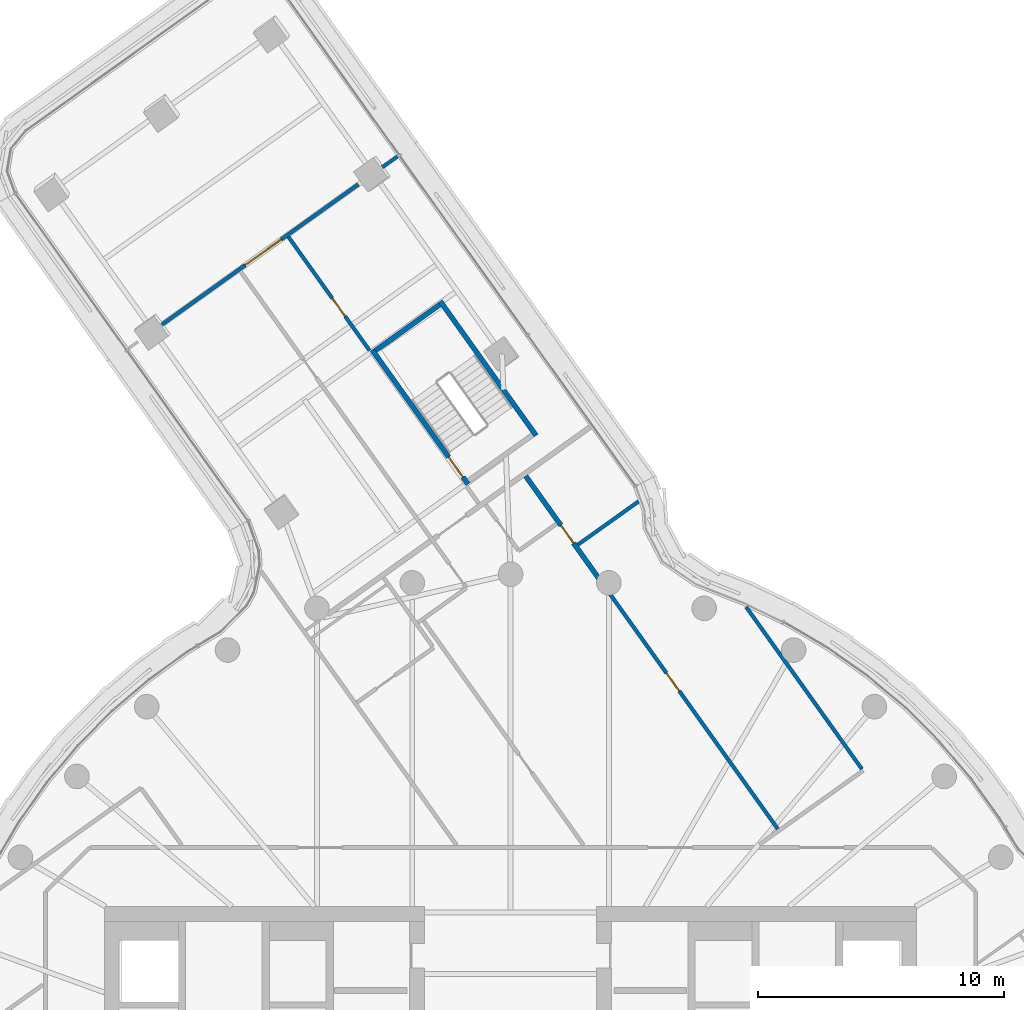
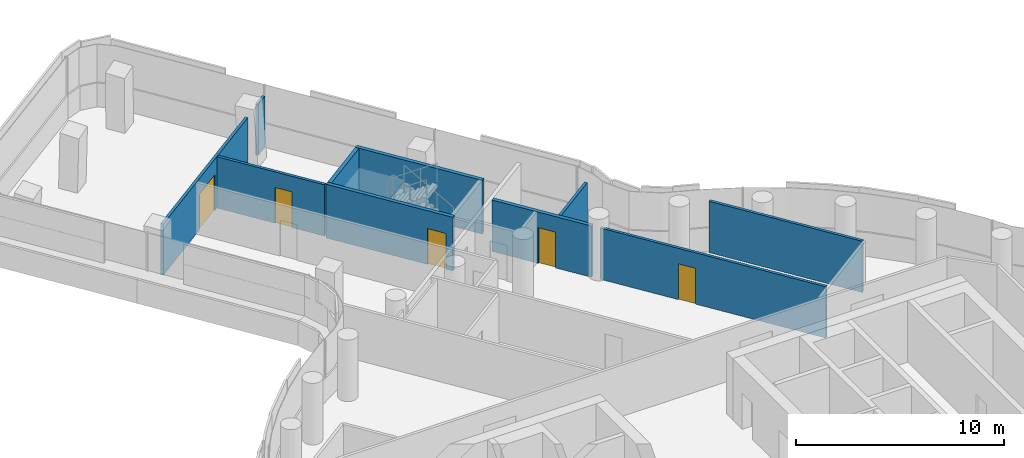
# One storey, part 23 of 31: 10 walls, 5 doors, 5 openings.
"""IFC4 building model written with IfcOpenShell, lengths in metres."""

from ifc_helpers import new_model, si_unit, direction, frame, frame_2d, origin, place, context, subcontext, project, spatial, polyline, rectangle, outline, extrude, material, layer, layer_set, type_object, element, fill, save


model = new_model("IFC4")

# Units and contexts
model_context = context("Model", 3, precision=1e-05, world=origin(), true_north=direction((0.0, 1.0)))
body_context = subcontext(model_context, "Body", "Model", "MODEL_VIEW")
ifc_project = project(units=[si_unit("LENGTHUNIT", "METRE"), si_unit("AREAUNIT", "SQUARE_METRE"), si_unit("VOLUMEUNIT", "CUBIC_METRE"), si_unit("PLANEANGLEUNIT", "RADIAN"), si_unit("MASSUNIT", "GRAM", prefix="KILO")], contexts=[model_context])

# Site, building, storey
site_placement = place(None, origin())
site = spatial("IfcSite", under=ifc_project, at=site_placement, CompositionType="ELEMENT")
building_placement = place(site_placement, origin())
building = spatial("IfcBuilding", under=site, at=building_placement, Name="Tamarind Cross Interchange Tower", CompositionType="ELEMENT")
storey_placement = place(building_placement, frame((0.0, 0.0, 163.0)))
storey = spatial("IfcBuildingStorey", under=building, at=storey_placement, Name="L40", CompositionType="ELEMENT", Elevation=163.0)

# Wall, opening, door
ifc_material_1 = material(Name="Gypsum board partition on steel studs", Category="steel")
ifc_layer_1 = layer(ifc_material_1, 0.14990234375)
ifc_layer_set_1 = layer_set([ifc_layer_1], Name="Gypsum board partition on steel studs")
wall_type_1 = type_object("IfcWallType", Name="Partition 150 mm EI 120", PredefinedType="PARTITIONING", material=ifc_layer_set_1)
wall_1_placement = place(storey_placement, frame((-9.028564453125, 36.7119140625, 0.0), z_axis=(0.0, 0.0, 1.0), x_axis=(0.581059272812, -0.813861242153, 0.0)))
wall_1 = element("IfcWall", 1, at=wall_1_placement, inside=storey, type_object=wall_type_1, Name="Partition L40-013", PredefinedType="PARTITIONING", context=body_context, shape_type="SweptSolid", body=[
    extrude(rectangle(XDim=5.6796875, YDim=0.14990234375, at=frame_2d((2.83984375, 0.0))), origin(), (0.0, 0.0, 1.0), 3.010009765625),
])
opening_1_placement = place(wall_1_placement, frame((3.070068359375, 0.0, 0.0)))
opening_1 = element("IfcOpeningElement", 2, at=opening_1_placement, cuts=wall_1, Name="Opening D06", PredefinedType="OPENING", context=body_context, shape_type="SweptSolid", body=[
    extrude(rectangle(XDim=0.89990234375, YDim=2.10009765625, at=frame_2d((0.449951171875, 1.050048828125))), frame((0.0, 0.0849609375, 0.0), z_axis=(0.0, -1.0, 0.0), x_axis=(1.0, 0.0, 0.0)), (0.0, 0.0, 1.0), 0.169921875),
])
ifc_material_2 = material(Name="Fire-resisting door set")
door_type_1 = type_object("IfcDoorType", Name="Interior door 900 x 2100 FD60S", OperationType="SINGLE_SWING_LEFT", PredefinedType="DOOR", material=ifc_material_2)
door_1_placement = place(opening_1_placement, origin())
door_1 = element("IfcDoor", 3, at=door_1_placement, inside=storey, type_object=door_type_1, Name="Door D06", OperationType="SINGLE_SWING_LEFT", OverallHeight=2.10009765625, OverallWidth=0.89990234375, PredefinedType="DOOR", context=body_context, shape_type="SweptSolid", body=[
    extrude(rectangle(XDim=0.89990234375, YDim=2.10009765625, at=frame_2d((0.449951171875, 1.050048828125))), frame((0.0, 0.02490234375, 0.0), z_axis=(0.0, -1.0, 0.0), x_axis=(1.0, 0.0, 0.0)), (0.0, 0.0, 1.0), 0.050048828125),
])
fill(opening_1, door_1)

wall_2_placement = place(storey_placement, frame((3.9365234375, 22.33935546875, 0.0), z_axis=(0.0, 0.0, 1.0), x_axis=(0.581240132919, -0.813732086061, 0.0)))
wall_2 = element("IfcWall", 4, at=wall_2_placement, inside=storey, type_object=wall_type_1, Name="Partition L40-020", PredefinedType="PARTITIONING", context=body_context, shape_type="SweptSolid", body=[
    extrude(rectangle(XDim=11.9091796875, YDim=0.14990234375, at=frame_2d((5.95458984375, 0.0))), origin(), (0.0, 0.0, 1.0), 3.010009765625),
])
opening_2_placement = place(wall_2_placement, frame((4.120849609375, 0.0, 0.0)))
opening_2 = element("IfcOpeningElement", 5, at=opening_2_placement, cuts=wall_2, Name="Opening D11", PredefinedType="OPENING", context=body_context, shape_type="SweptSolid", body=[
    extrude(rectangle(XDim=0.89990234375, YDim=2.10009765625, at=frame_2d((0.449951171875, 1.050048828125))), frame((0.0, 0.0849609375, 0.0), z_axis=(0.0, -1.0, 0.0), x_axis=(1.0, 0.0, 0.0)), (0.0, 0.0, 1.0), 0.169921875),
])
door_2_placement = place(opening_2_placement, origin())
door_2 = element("IfcDoor", 6, at=door_2_placement, inside=storey, type_object=door_type_1, Name="Door D11", OperationType="SINGLE_SWING_RIGHT", OverallHeight=2.10009765625, OverallWidth=0.89990234375, PredefinedType="DOOR", context=body_context, shape_type="SweptSolid", body=[
    extrude(rectangle(XDim=0.89990234375, YDim=2.10009765625, at=frame_2d((0.449951171875, 1.050048828125))), frame((0.0, 0.02490234375, 0.0), z_axis=(0.0, -1.0, 0.0), x_axis=(1.0, 0.0, 0.0)), (0.0, 0.0, 1.0), 0.050048828125),
])
fill(opening_2, door_2)

# Wall
wall_3_placement = place(storey_placement, frame((9.575439453125, 21.667236328125, 0.0), z_axis=(0.0, 0.0, 1.0), x_axis=(0.581066903394, -0.813855794217, 0.0)))
element("IfcWall", 7, at=wall_3_placement, inside=storey, type_object=wall_type_1, Name="Partition L40-025", PredefinedType="PARTITIONING", context=body_context, shape_type="SweptSolid", body=[
    extrude(rectangle(XDim=8.090087890625, YDim=0.14990234375, at=frame_2d((4.044921875, 0.0))), origin(), (0.0, 0.0, 1.0), 3.010009765625),
])

# Wall, opening, door
wall_4_placement = place(storey_placement, frame((-14.17724609375, 33.135498046875, 0.0), z_axis=(0.0, 0.0, 1.0), x_axis=(0.813882934093, 0.581028888777, 0.0)))
wall_4 = element("IfcWall", 8, at=wall_4_placement, inside=storey, type_object=wall_type_1, Name="Partition L40-050", PredefinedType="PARTITIONING", context=body_context, shape_type="SweptSolid", body=[
    extrude(rectangle(XDim=9.821044921875, YDim=0.14990234375, at=frame_2d((4.91064453125, 0.0))), origin(), (0.0, 0.0, 1.0), 3.010009765625),
])
opening_3_placement = place(wall_4_placement, frame((4.168212890625, 0.0, 0.0)))
opening_3 = element("IfcOpeningElement", 9, at=opening_3_placement, cuts=wall_4, Name="Opening D31", PredefinedType="OPENING", context=body_context, shape_type="SweptSolid", body=[
    extrude(rectangle(XDim=1.800048828125, YDim=2.10009765625, at=frame_2d((0.89990234375, 1.050048828125))), frame((0.0, 0.0849609375, 0.0), z_axis=(0.0, -1.0, 0.0), x_axis=(1.0, 0.0, 0.0)), (0.0, 0.0, 1.0), 0.169921875),
])
door_type_2 = type_object("IfcDoorType", Name="Interior door 1800 x 2100 FD60S", OperationType="DOUBLE_DOOR_SINGLE_SWING", PredefinedType="DOOR", material=ifc_material_2)
door_3_placement = place(opening_3_placement, frame((1.800048828125, 0.0, 0.0), z_axis=(0.0, 0.0, 1.0), x_axis=(-1.0, 0.0, 0.0)))
door_3 = element("IfcDoor", 10, at=door_3_placement, inside=storey, type_object=door_type_2, Name="Door D31", OperationType="DOUBLE_DOOR_SINGLE_SWING", OverallHeight=2.10009765625, OverallWidth=1.800048828125, PredefinedType="DOOR", context=body_context, shape_type="SweptSolid", body=[
    extrude(rectangle(XDim=1.800048828125, YDim=2.10009765625, at=frame_2d((0.89990234375, 1.050048828125))), frame((0.0, 0.02490234375, 0.0), z_axis=(0.0, -1.0, 0.0), x_axis=(1.0, 0.0, 0.0)), (0.0, 0.0, 1.0), 0.050048828125),
])
fill(opening_3, door_3)

# Walls
wall_5_placement = place(storey_placement, frame((-5.211669921875, 39.535888671875, 0.0), z_axis=(0.0, 0.0, 1.0), x_axis=(0.813887052757, 0.581023119466, 0.0)))
element("IfcWall", 11, at=wall_5_placement, inside=storey, type_object=wall_type_1, Name="Partition L40-051", PredefinedType="PARTITIONING", context=body_context, shape_type="SweptSolid", body=[
    extrude(rectangle(XDim=0.751708984375, YDim=0.14990234375, at=frame_2d((0.3759765625, 0.0))), origin(), (0.0, 0.0, 1.0), 3.010009765625),
])
wall_6_placement = place(storey_placement, frame((2.736083984375, 24.199462890625, 0.0), z_axis=(0.0, 0.0, 1.0), x_axis=(0.813853186895, 0.581070555252, 0.0)))
element("IfcWall", 12, at=wall_6_placement, inside=storey, type_object=wall_type_1, Name="Partition L40-054", PredefinedType="PARTITIONING", context=body_context, shape_type="SweptSolid", body=[
    extrude(rectangle(XDim=3.031005859375, YDim=0.14990234375, at=frame_2d((1.515625, 0.0))), origin(), (0.0, 0.0, 1.0), 3.010009765625),
])

# Wall, opening, door
ifc_layer_2 = layer(ifc_material_1, 0.199951171875)
ifc_layer_set_2 = layer_set([ifc_layer_2], Name="Gypsum board partition on steel studs")
wall_type_2 = type_object("IfcWallType", Name="Partition 200 mm EI 180", PredefinedType="PARTITIONING", material=ifc_layer_set_2)
wall_7_placement = place(storey_placement, frame((0.6171875, 26.986572265625, 0.0), z_axis=(0.0, 0.0, 1.0), x_axis=(0.581238193719, -0.813733471207, 0.0)))
wall_7 = element("IfcWall", 13, at=wall_7_placement, inside=storey, type_object=wall_type_2, Name="Partition L40-019", PredefinedType="PARTITIONING", context=body_context, shape_type="SweptSolid", body=[
    extrude(rectangle(XDim=5.260986328125, YDim=0.199951171875, at=frame_2d((2.63037109375, 0.0))), origin(), (0.0, 0.0, 1.0), 3.010009765625),
])
opening_4_placement = place(wall_7_placement, frame((2.449951171875, 0.0, 0.0)))
opening_4 = element("IfcOpeningElement", 14, at=opening_4_placement, cuts=wall_7, Name="Opening D10", PredefinedType="OPENING", context=body_context, shape_type="SweptSolid", body=[
    extrude(rectangle(XDim=0.89990234375, YDim=2.10009765625, at=frame_2d((0.449951171875, 1.050048828125))), frame((0.0, 0.10986328125, 0.0), z_axis=(0.0, -1.0, 0.0), x_axis=(1.0, 0.0, 0.0)), (0.0, 0.0, 1.0), 0.219970703125),
])
door_type_3 = type_object("IfcDoorType", Name="Interior door 900 x 2100 FD120S", OperationType="SINGLE_SWING_LEFT", PredefinedType="DOOR", material=ifc_material_2)
door_4_placement = place(opening_4_placement, origin())
door_4 = element("IfcDoor", 15, at=door_4_placement, inside=storey, type_object=door_type_3, Name="Door D10", OperationType="SINGLE_SWING_LEFT", OverallHeight=2.10009765625, OverallWidth=0.89990234375, PredefinedType="DOOR", context=body_context, shape_type="SweptSolid", body=[
    extrude(rectangle(XDim=0.89990234375, YDim=2.10009765625, at=frame_2d((0.449951171875, 1.050048828125))), frame((0.0, 0.02490234375, 0.0), z_axis=(0.0, -1.0, 0.0), x_axis=(1.0, 0.0, 0.0)), (0.0, 0.0, 1.0), 0.050048828125),
])
fill(opening_4, door_4)

ifc_material_3 = material(Name="Concrete C40", Category="concrete")
ifc_layer_3 = layer(ifc_material_3, 0.199951171875)
ifc_layer_set_3 = layer_set([ifc_layer_3], Name="Concrete C40")
wall_type_3 = type_object("IfcWallType", Name="Stair shaft wall 200 mm Concrete C40", PredefinedType="SHEAR", material=ifc_layer_set_3)
wall_8_placement = place(storey_placement, frame((-1.73095703125, 26.662109375, -0.139892578125), z_axis=(0.0, 0.0, 1.0), x_axis=(-0.581031354906, 0.813881173523, 0.0)))
wall_8 = element("IfcWall", 16, at=wall_8_placement, inside=storey, type_object=wall_type_3, Name="Core wall CWL-L40-ST4-H", PredefinedType="SHEAR", context=body_context, shape_type="SweptSolid", body=[
    extrude(rectangle(XDim=6.699951171875, YDim=0.199951171875, at=frame_2d((3.35009765625, 0.0))), origin(), (0.0, 0.0, 1.0), 3.14990234375),
])
opening_5_placement = place(wall_8_placement, frame((0.35009765625, 0.0, 0.0)))
opening_5 = element("IfcOpeningElement", 17, at=opening_5_placement, cuts=wall_8, Name="Opening ST4L40", PredefinedType="OPENING", context=body_context, shape_type="SweptSolid", body=[
    extrude(rectangle(XDim=1.0, YDim=2.10009765625, at=frame_2d((0.5, 1.050048828125))), frame((0.0, 0.10986328125, 0.0), z_axis=(0.0, -1.0, 0.0), x_axis=(1.0, 0.0, 0.0)), (0.0, 0.0, 1.0), 0.219970703125),
])
ifc_material_4 = material(Name="Steel, fire-resisting", Category="steel")
door_type_4 = type_object("IfcDoorType", Name="Core fire door 1000 x 2100 FD90", OperationType="SINGLE_SWING_LEFT", PredefinedType="DOOR", material=ifc_material_4)
door_5_placement = place(opening_5_placement, origin())
door_5 = element("IfcDoor", 18, at=door_5_placement, inside=storey, type_object=door_type_4, Name="L40 stair door ST4", OperationType="SINGLE_SWING_LEFT", OverallHeight=2.10009765625, OverallWidth=1.0, PredefinedType="DOOR", context=body_context, shape_type="SweptSolid", body=[
    extrude(rectangle(XDim=1.0, YDim=2.10009765625, at=frame_2d((0.5, 1.050048828125))), frame((0.0, 0.02490234375, 0.0), z_axis=(0.0, -1.0, 0.0), x_axis=(1.0, 0.0, 0.0)), (0.0, 0.0, 1.0), 0.050048828125),
])
fill(opening_5, door_5)

# Walls
wall_9_placement = place(storey_placement, frame((1.036376953125, 28.637451171875, -0.139892578125), z_axis=(0.0, 0.0, 1.0), x_axis=(-0.581038260302, 0.813876243704, 0.0)))
element("IfcWall", 19, at=wall_9_placement, inside=storey, type_object=wall_type_3, Name="Core wall CWL-L40-ST4-C", PredefinedType="SHEAR", context=body_context, shape_type="SweptSolid", body=[
    extrude(rectangle(XDim=6.7001953125, YDim=0.199951171875, at=frame_2d((3.35009765625, 0.0))), origin(), (0.0, 0.0, 1.0), 3.14990234375),
])
wall_10_placement = place(storey_placement, frame((0.0, 0.0, -0.139892578125)))
element("IfcWall", 20, at=wall_10_placement, inside=storey, type_object=wall_type_3, Name="Core wall CWL-L40-ST4-CF", PredefinedType="SHEAR", context=body_context, shape_type="SweptSolid", body=[
    extrude(outline(polyline([(-2.82177734375, 33.86962890625), (-2.93798828125, 34.032470703125), (-5.54248046875, 32.173095703125), (-5.42626953125, 32.01025390625), (-2.82177734375, 33.86962890625)])), origin(), (0.0, 0.0, 1.0), 3.14990234375),
])

save(model, "model.ifc")
